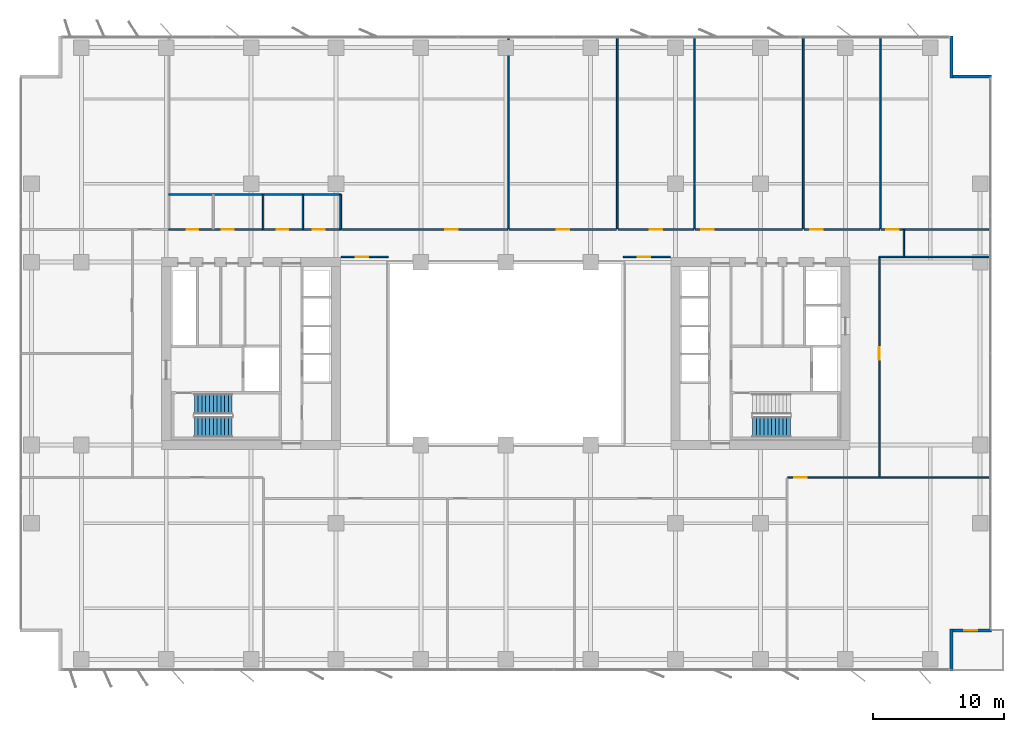
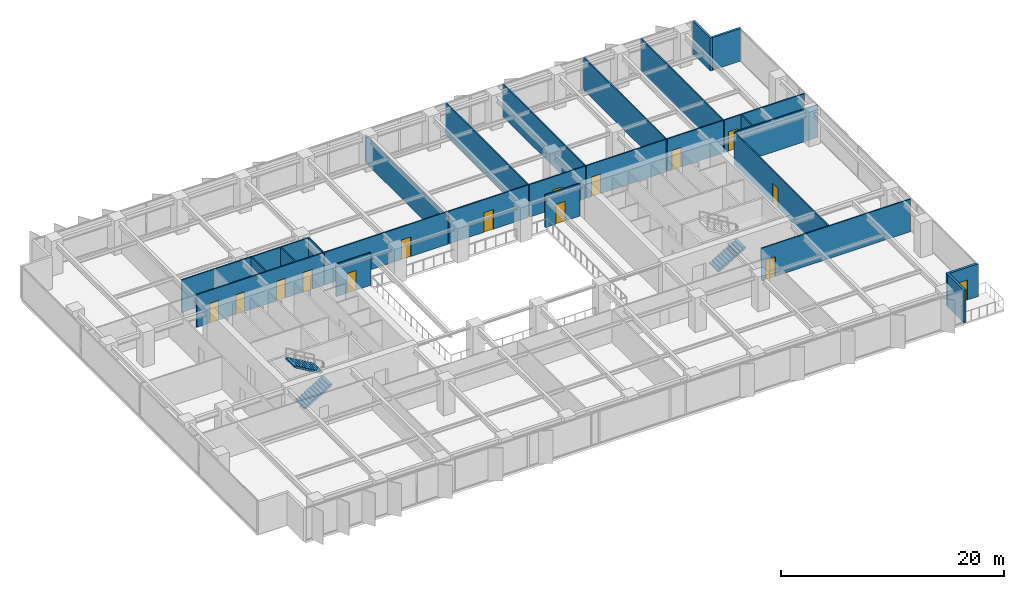
# One storey, part 15 of 20: 26 walls, 15 doors, 3 stair flights, 15 openings, 2 elements without a shape of their own.
"""IFC4 building model written with IfcOpenShell, lengths in metres."""

from ifc_helpers import new_model, si_unit, direction, frame, frame_2d, origin, place, context, subcontext, project, spatial, polyline, rectangle, outline, extrude, material, layer, layer_set, type_object, element, fill, aggregate, save


model = new_model("IFC4")

# Units and contexts
model_context = context("Model", 3, precision=1e-05, world=origin(), true_north=direction((0.0, 1.0)))
body_context = subcontext(model_context, "Body", "Model", "MODEL_VIEW")
ifc_project = project(units=[si_unit("LENGTHUNIT", "METRE"), si_unit("AREAUNIT", "SQUARE_METRE"), si_unit("VOLUMEUNIT", "CUBIC_METRE"), si_unit("PLANEANGLEUNIT", "RADIAN"), si_unit("MASSUNIT", "GRAM", prefix="KILO")], contexts=[model_context])

# Site, building, storey
site_placement = place(None, origin())
site = spatial("IfcSite", under=ifc_project, at=site_placement, CompositionType="ELEMENT")
building_placement = place(site_placement, origin())
building = spatial("IfcBuilding", under=site, at=building_placement, Name="Putna Gate Headquarters", CompositionType="ELEMENT")
storey_placement = place(building_placement, frame((0.0, 0.0, 108.800048828125)))
storey = spatial("IfcBuildingStorey", under=building, at=storey_placement, Name="L26", CompositionType="ELEMENT", Elevation=108.800048828125)

# Walls
ifc_material_1 = material(Name="Precast concrete C40/50", Category="concrete")
ifc_layer_1 = layer(ifc_material_1, 0.239990234375)
ifc_layer_set_1 = layer_set([ifc_layer_1], Name="Precast concrete C40/50")
wall_type_1 = type_object("IfcWallType", Name="WALL-EXT-TERR-240", PredefinedType="STANDARD", material=ifc_layer_set_1)
for number, where, z_axis, x_axis, name in (
    (1, (73.1201171875, 50.300048828125, 0.0), (0.0, 0.0, 1.0), (0.0, -1.0, 0.0), "L26 Corner Notch Return Wall NE-V"),
    (2, (73.0, 47.219970703125, 0.0), (0.0, 0.0, 1.0), (1.0, 0.0, 0.0), "L26 Corner Notch Return Wall NE-H"),
    (3, (73.1201171875, 4.89990234375, 0.0), (0.0, 0.0, 1.0), (0.0, -1.0, 0.0), "L26 Corner Notch Return Wall SE-V"),
):
    element("IfcWall", number, at=place(storey_placement, frame(where, z_axis=z_axis, x_axis=x_axis)), inside=storey, type_object=wall_type_1, Name=name, PredefinedType="STANDARD", context=body_context, shape_type="SweptSolid", body=[
        extrude(rectangle(XDim=3.199951171875, YDim=0.239990234375, at=frame_2d((1.60009765625, 0.0))), origin(), (0.0, 0.0, 1.0), 3.56494140625),
    ])

# Wall, opening, door
wall_1_placement = place(storey_placement, frame((76.199951171875, 4.780029296875, 0.0), z_axis=(0.0, 0.0, 1.0), x_axis=(-1.0, 0.0, 0.0)))
wall_1 = element("IfcWall", 4, at=wall_1_placement, inside=storey, type_object=wall_type_1, Name="L26 Corner Notch Return Wall SE-H", PredefinedType="STANDARD", context=body_context, shape_type="SweptSolid", body=[
    extrude(rectangle(XDim=3.199951171875, YDim=0.239990234375, at=frame_2d((1.60009765625, 0.0))), origin(), (0.0, 0.0, 1.0), 3.56494140625),
])
opening_1_placement = place(wall_1_placement, frame((1.10009765625, 0.0, 0.0)))
opening_1 = element("IfcOpeningElement", 5, at=opening_1_placement, cuts=wall_1, Name="Opening TRD-1", PredefinedType="OPENING", context=body_context, shape_type="SweptSolid", body=[
    extrude(rectangle(XDim=1.0, YDim=2.199951171875, at=frame_2d((0.5, 1.10009765625))), frame((0.0, 0.1298828125, 0.0), z_axis=(0.0, -1.0, 0.0), x_axis=(1.0, 0.0, 0.0)), (0.0, 0.0, 1.0), 0.260009765625),
])
ifc_material_2 = material(Name="Thermally broken bronze glazed terrace door")
door_type_1 = type_object("IfcDoorType", Name="DOOR-TERR-EXT-1000", OperationType="NOTDEFINED", PredefinedType="DOOR", material=ifc_material_2)
door_1_placement = place(opening_1_placement, origin())
door_1 = element("IfcDoor", 6, at=door_1_placement, inside=storey, type_object=door_type_1, Name="L26 Spiral Sky Terrace Door SE", OperationType="SINGLE_SWING_RIGHT", OverallHeight=2.199951171875, OverallWidth=1.0, PredefinedType="DOOR", context=body_context, shape_type="SweptSolid", body=[
    extrude(rectangle(XDim=1.0, YDim=2.199951171875, at=frame_2d((0.5, 1.10009765625))), frame((0.0, 0.02490234375, 0.0), z_axis=(0.0, -1.0, 0.0), x_axis=(1.0, 0.0, 0.0)), (0.0, 0.0, 1.0), 0.050048828125),
])
fill(opening_1, door_1)

ifc_material_3 = material(Name="Acoustic gypsum board on metal stud")
ifc_layer_2 = layer(ifc_material_3, 0.1201171875)
ifc_layer_set_2 = layer_set([ifc_layer_2], Name="Acoustic gypsum board on metal stud")
wall_type_2 = type_object("IfcWallType", Name="WALL-PART-120", PredefinedType="PARTITIONING", material=ifc_layer_set_2)
wall_2_placement = place(storey_placement, frame((26.39990234375, 33.39990234375, 0.0), z_axis=(0.0, 0.0, 1.0), x_axis=(1.0, 0.0, 0.0)))
wall_2 = element("IfcWall", 7, at=wall_2_placement, inside=storey, type_object=wall_type_2, Name="L26 Interior Wall PART-L26-ATR-W-N", PredefinedType="PARTITIONING", context=body_context, shape_type="SweptSolid", body=[
    extrude(rectangle(XDim=3.60009765625, YDim=0.1201171875, at=frame_2d((1.800048828125, 0.0))), origin(), (0.0, 0.0, 1.0), 3.56494140625),
])
opening_2_placement = place(wall_2_placement, frame((1.10009765625, 0.0, 0.0)))
opening_2 = element("IfcOpeningElement", 8, at=opening_2_placement, cuts=wall_2, Name="Opening ID-95", PredefinedType="OPENING", context=body_context, shape_type="SweptSolid", body=[
    extrude(rectangle(XDim=0.949951171875, YDim=2.14990234375, at=frame_2d((0.47509765625, 1.074951171875))), frame((0.0, 0.070068359375, 0.0), z_axis=(0.0, -1.0, 0.0), x_axis=(1.0, 0.0, 0.0)), (0.0, 0.0, 1.0), 0.14013671875),
])
ifc_material_4 = material(Name="Veneered acoustic timber door", Category="wood")
door_type_2 = type_object("IfcDoorType", Name="DOOR-OFF-950", OperationType="NOTDEFINED", PredefinedType="DOOR", material=ifc_material_4)
door_2_placement = place(opening_2_placement, origin())
door_2 = element("IfcDoor", 9, at=door_2_placement, inside=storey, type_object=door_type_2, Name="L26 West Atrium Lounge Door", OperationType="SINGLE_SWING_LEFT", OverallHeight=2.14990234375, OverallWidth=0.949951171875, PredefinedType="DOOR", context=body_context, shape_type="SweptSolid", body=[
    extrude(rectangle(XDim=0.949951171875, YDim=2.14990234375, at=frame_2d((0.47509765625, 1.074951171875))), frame((0.0, 0.02490234375, 0.0), z_axis=(0.0, -1.0, 0.0), x_axis=(1.0, 0.0, 0.0)), (0.0, 0.0, 1.0), 0.050048828125),
])
fill(opening_2, door_2)

wall_3_placement = place(storey_placement, frame((48.0, 33.39990234375, 0.0), z_axis=(0.0, 0.0, 1.0), x_axis=(1.0, 0.0, 0.0)))
wall_3 = element("IfcWall", 10, at=wall_3_placement, inside=storey, type_object=wall_type_2, Name="L26 Interior Wall PART-L26-ATR-E-N", PredefinedType="PARTITIONING", context=body_context, shape_type="SweptSolid", body=[
    extrude(rectangle(XDim=3.60009765625, YDim=0.1201171875, at=frame_2d((1.800048828125, 0.0))), origin(), (0.0, 0.0, 1.0), 3.56494140625),
])
opening_3_placement = place(wall_3_placement, frame((1.10009765625, 0.0, 0.0)))
opening_3 = element("IfcOpeningElement", 11, at=opening_3_placement, cuts=wall_3, Name="Opening ID-95", PredefinedType="OPENING", context=body_context, shape_type="SweptSolid", body=[
    extrude(rectangle(XDim=0.949951171875, YDim=2.14990234375, at=frame_2d((0.47509765625, 1.074951171875))), frame((0.0, 0.070068359375, 0.0), z_axis=(0.0, -1.0, 0.0), x_axis=(1.0, 0.0, 0.0)), (0.0, 0.0, 1.0), 0.14013671875),
])
door_3_placement = place(opening_3_placement, origin())
door_3 = element("IfcDoor", 12, at=door_3_placement, inside=storey, type_object=door_type_2, Name="L26 East Atrium Lounge Door", OperationType="SINGLE_SWING_RIGHT", OverallHeight=2.14990234375, OverallWidth=0.949951171875, PredefinedType="DOOR", context=body_context, shape_type="SweptSolid", body=[
    extrude(rectangle(XDim=0.949951171875, YDim=2.14990234375, at=frame_2d((0.47509765625, 1.074951171875))), frame((0.0, 0.02490234375, 0.0), z_axis=(0.0, -1.0, 0.0), x_axis=(1.0, 0.0, 0.0)), (0.0, 0.0, 1.0), 0.050048828125),
])
fill(opening_3, door_3)

# Walls
wall_4_placement = place(storey_placement, frame((39.199951171875, 35.56005859375, 0.0), z_axis=(0.0, 0.0, 1.0), x_axis=(0.0, 1.0, 0.0)))
element("IfcWall", 13, at=wall_4_placement, inside=storey, type_object=wall_type_2, Name="L26 Interior Wall PART-L26-NB-DIV-02", PredefinedType="PARTITIONING", context=body_context, shape_type="SweptSolid", body=[
    extrude(rectangle(XDim=14.719970703125, YDim=0.1201171875, at=frame_2d((7.35986328125, 0.0))), origin(), (0.0, 0.0, 1.0), 2.96484375),
])
for number, where, z_axis, x_axis, name in (
    (14, (47.53662109375, 35.56005859375, 0.0), (0.0, 0.0, 1.0), (0.0, 1.0, 0.0), "L26 Interior Wall PART-L26-NB-DIV-03"),
    (15, (53.441650390625, 35.56005859375, 0.0), (0.0, 0.0, 1.0), (0.0, 1.0, 0.0), "L26 Interior Wall PART-L26-NB-DIV-04"),
    (16, (61.7783203125, 35.56005859375, 0.0), (0.0, 0.0, 1.0), (0.0, 1.0, 0.0), "L26 Interior Wall PART-L26-NB-DIV-05"),
    (17, (67.683349609375, 35.56005859375, 0.0), (0.0, 0.0, 1.0), (0.0, 1.0, 0.0), "L26 Interior Wall PART-L26-NB-DIV-06"),
):
    element("IfcWall", number, at=place(storey_placement, frame(where, z_axis=z_axis, x_axis=x_axis)), inside=storey, type_object=wall_type_2, Name=name, PredefinedType="PARTITIONING", context=body_context, shape_type="SweptSolid", body=[
        extrude(rectangle(XDim=14.719970703125, YDim=0.1201171875, at=frame_2d((7.35986328125, 0.0))), origin(), (0.0, 0.0, 1.0), 3.56494140625),
    ])
ifc_material_5 = material(Name="Fire-rated gypsum board on metal stud")
ifc_layer_3 = layer(ifc_material_5, 0.1201171875)
ifc_layer_set_3 = layer_set([ifc_layer_3], Name="Fire-rated gypsum board on metal stud")
wall_type_3 = type_object("IfcWallType", Name="WALL-PART-120-RATED", PredefinedType="PARTITIONING", material=ifc_layer_set_3)
wall_5_placement = place(storey_placement, frame((69.4833984375, 33.39990234375, 0.0), z_axis=(0.0, 0.0, 1.0), x_axis=(0.0, 1.0, 0.0)))
element("IfcWall", 18, at=wall_5_placement, inside=storey, type_object=wall_type_3, Name="L26 Interior Wall PART-L26-CORRN-CAPE", PredefinedType="PARTITIONING", context=body_context, shape_type="SweptSolid", body=[
    extrude(rectangle(XDim=2.10009765625, YDim=0.1201171875, at=frame_2d((1.050048828125, 0.0))), origin(), (0.0, 0.0, 1.0), 3.56494140625),
])

# Wall, openings, doors
wall_6_placement = place(storey_placement, frame((13.199951171875, 35.5, 0.0), z_axis=(0.0, 0.0, 1.0), x_axis=(1.0, 0.0, 0.0)))
wall_6 = element("IfcWall", 19, at=wall_6_placement, inside=storey, type_object=wall_type_3, Name="L26 Interior Wall PART-L26-SAN-CW", PredefinedType="PARTITIONING", context=body_context, shape_type="SweptSolid", body=[
    extrude(rectangle(XDim=13.16015625, YDim=0.1201171875, at=frame_2d((6.580078125, 0.0))), origin(), (0.0, 0.0, 1.0), 3.56494140625),
])
opening_4_placement = place(wall_6_placement, frame((1.35009765625, 0.0, 0.0)))
opening_4 = element("IfcOpeningElement", 20, at=opening_4_placement, cuts=wall_6, Name="Opening FD-90", PredefinedType="OPENING", context=body_context, shape_type="SweptSolid", body=[
    extrude(rectangle(XDim=0.89990234375, YDim=2.14990234375, at=frame_2d((0.449951171875, 1.074951171875))), frame((0.0, 0.070068359375, 0.0), z_axis=(0.0, -1.0, 0.0), x_axis=(1.0, 0.0, 0.0)), (0.0, 0.0, 1.0), 0.14013671875),
])
opening_5_placement = place(wall_6_placement, frame((4.050048828125, 0.0, 0.0)))
opening_5 = element("IfcOpeningElement", 21, at=opening_5_placement, cuts=wall_6, Name="Opening FD-90", PredefinedType="OPENING", context=body_context, shape_type="SweptSolid", body=[
    extrude(rectangle(XDim=0.89990234375, YDim=2.14990234375, at=frame_2d((0.449951171875, 1.074951171875))), frame((0.0, 0.070068359375, 0.0), z_axis=(0.0, -1.0, 0.0), x_axis=(1.0, 0.0, 0.0)), (0.0, 0.0, 1.0), 0.14013671875),
])
opening_6_placement = place(wall_6_placement, frame((8.25, 0.0, 0.0)))
opening_6 = element("IfcOpeningElement", 22, at=opening_6_placement, cuts=wall_6, Name="Opening FD-90", PredefinedType="OPENING", context=body_context, shape_type="SweptSolid", body=[
    extrude(rectangle(XDim=0.89990234375, YDim=2.14990234375, at=frame_2d((0.449951171875, 1.074951171875))), frame((0.0, 0.070068359375, 0.0), z_axis=(0.0, -1.0, 0.0), x_axis=(1.0, 0.0, 0.0)), (0.0, 0.0, 1.0), 0.14013671875),
])
opening_7_placement = place(wall_6_placement, frame((11.0, 0.0, 0.0)))
opening_7 = element("IfcOpeningElement", 23, at=opening_7_placement, cuts=wall_6, Name="Opening FD-95", PredefinedType="OPENING", context=body_context, shape_type="SweptSolid", body=[
    extrude(rectangle(XDim=0.949951171875, YDim=2.14990234375, at=frame_2d((0.47509765625, 1.074951171875))), frame((0.0, 0.070068359375, 0.0), z_axis=(0.0, -1.0, 0.0), x_axis=(1.0, 0.0, 0.0)), (0.0, 0.0, 1.0), 0.14013671875),
])
ifc_material_6 = material(Name="Acoustic washroom fire door")
door_type_3 = type_object("IfcDoorType", Name="DOOR-FIRE-900", OperationType="NOTDEFINED", PredefinedType="DOOR", material=ifc_material_6)
door_4_placement = place(opening_4_placement, origin())
door_4 = element("IfcDoor", 24, at=door_4_placement, inside=storey, type_object=door_type_3, Name="L26 Washroom Male Door", OperationType="SINGLE_SWING_LEFT", OverallHeight=2.14990234375, OverallWidth=0.89990234375, PredefinedType="DOOR", context=body_context, shape_type="SweptSolid", body=[
    extrude(rectangle(XDim=0.89990234375, YDim=2.14990234375, at=frame_2d((0.449951171875, 1.074951171875))), frame((0.0, 0.02490234375, 0.0), z_axis=(0.0, -1.0, 0.0), x_axis=(1.0, 0.0, 0.0)), (0.0, 0.0, 1.0), 0.050048828125),
])
fill(opening_4, door_4)
door_5_placement = place(opening_5_placement, origin())
door_5 = element("IfcDoor", 25, at=door_5_placement, inside=storey, type_object=door_type_3, Name="L26 Washroom Female Door", OperationType="SINGLE_SWING_RIGHT", OverallHeight=2.14990234375, OverallWidth=0.89990234375, PredefinedType="DOOR", context=body_context, shape_type="SweptSolid", body=[
    extrude(rectangle(XDim=0.89990234375, YDim=2.14990234375, at=frame_2d((0.449951171875, 1.074951171875))), frame((0.0, 0.02490234375, 0.0), z_axis=(0.0, -1.0, 0.0), x_axis=(1.0, 0.0, 0.0)), (0.0, 0.0, 1.0), 0.050048828125),
])
fill(opening_5, door_5)
door_6_placement = place(opening_6_placement, origin())
door_6 = element("IfcDoor", 26, at=door_6_placement, inside=storey, type_object=door_type_3, Name="L26 Accessible WC Door", OperationType="SINGLE_SWING_LEFT", OverallHeight=2.14990234375, OverallWidth=0.89990234375, PredefinedType="DOOR", context=body_context, shape_type="SweptSolid", body=[
    extrude(rectangle(XDim=0.89990234375, YDim=2.14990234375, at=frame_2d((0.449951171875, 1.074951171875))), frame((0.0, 0.02490234375, 0.0), z_axis=(0.0, -1.0, 0.0), x_axis=(1.0, 0.0, 0.0)), (0.0, 0.0, 1.0), 0.050048828125),
])
fill(opening_6, door_6)
ifc_material_7 = material(Name="Acoustic timber fire door", Category="wood")
door_type_4 = type_object("IfcDoorType", Name="DOOR-FIRE-950", OperationType="NOTDEFINED", PredefinedType="DOOR", material=ifc_material_7)
door_7_placement = place(opening_7_placement, origin())
door_7 = element("IfcDoor", 27, at=door_7_placement, inside=storey, type_object=door_type_4, Name="L26 Staff Pantry and Tea Point Door", OperationType="SINGLE_SWING_RIGHT", OverallHeight=2.14990234375, OverallWidth=0.949951171875, PredefinedType="DOOR", context=body_context, shape_type="SweptSolid", body=[
    extrude(rectangle(XDim=0.949951171875, YDim=2.14990234375, at=frame_2d((0.47509765625, 1.074951171875))), frame((0.0, 0.02490234375, 0.0), z_axis=(0.0, -1.0, 0.0), x_axis=(1.0, 0.0, 0.0)), (0.0, 0.0, 1.0), 0.050048828125),
])
fill(opening_7, door_7)

# Walls
wall_7_placement = place(storey_placement, frame((13.199951171875, 38.179931640625, 0.0), z_axis=(0.0, 0.0, 1.0), x_axis=(1.0, 0.0, 0.0)))
element("IfcWall", 28, at=wall_7_placement, inside=storey, type_object=wall_type_3, Name="L26 Interior Wall PART-L26-SAN-BACK", PredefinedType="PARTITIONING", context=body_context, shape_type="SweptSolid", body=[
    extrude(rectangle(XDim=13.16015625, YDim=0.1201171875, at=frame_2d((6.580078125, 0.0))), origin(), (0.0, 0.0, 1.0), 3.56494140625),
])
for number, where, z_axis, x_axis, name in (
    (29, (20.419921875, 35.5, 0.0), (0.0, 0.0, 1.0), (0.0, 1.0, 0.0), "L26 Interior Wall PART-L26-SAN-DIV-2"),
    (30, (23.4599609375, 35.5, 0.0), (0.0, 0.0, 1.0), (0.0, 1.0, 0.0), "L26 Interior Wall PART-L26-SAN-DIV-3"),
    (31, (26.360107421875, 35.5, 0.0), (0.0, 0.0, 1.0), (0.0, 1.0, 0.0), "L26 Interior Wall PART-L26-SAN-DIV-4"),
):
    element("IfcWall", number, at=place(storey_placement, frame(where, z_axis=z_axis, x_axis=x_axis)), inside=storey, type_object=wall_type_3, Name=name, PredefinedType="PARTITIONING", context=body_context, shape_type="SweptSolid", body=[
        extrude(rectangle(XDim=2.679931640625, YDim=0.1201171875, at=frame_2d((1.33984375, 0.0))), origin(), (0.0, 0.0, 1.0), 3.56494140625),
    ])

# Wall, opening, door
wall_8_placement = place(storey_placement, frame((26.419921875, 35.5, 0.0), z_axis=(0.0, 0.0, 1.0), x_axis=(1.0, 0.0, 0.0)))
wall_8 = element("IfcWall", 32, at=wall_8_placement, inside=storey, type_object=wall_type_3, Name="L26 Interior Wall PART-L26-NB-CW-02", PredefinedType="PARTITIONING", context=body_context, shape_type="SweptSolid", body=[
    extrude(rectangle(XDim=12.719970703125, YDim=0.1201171875, at=frame_2d((6.35986328125, 0.0))), origin(), (0.0, 0.0, 1.0), 3.56494140625),
])
opening_8_placement = place(wall_8_placement, frame((7.9541015625, 0.0, 0.0)))
opening_8 = element("IfcOpeningElement", 33, at=opening_8_placement, cuts=wall_8, Name="Opening FD-95", PredefinedType="OPENING", context=body_context, shape_type="SweptSolid", body=[
    extrude(rectangle(XDim=0.949951171875, YDim=2.14990234375, at=frame_2d((0.47509765625, 1.074951171875))), frame((0.0, 0.070068359375, 0.0), z_axis=(0.0, -1.0, 0.0), x_axis=(1.0, 0.0, 0.0)), (0.0, 0.0, 1.0), 0.14013671875),
])
door_8_placement = place(opening_8_placement, origin())
door_8 = element("IfcDoor", 34, at=door_8_placement, inside=storey, type_object=door_type_4, Name="L26 Primary Open Office Workplace Door", OperationType="SINGLE_SWING_RIGHT", OverallHeight=2.14990234375, OverallWidth=0.949951171875, PredefinedType="DOOR", context=body_context, shape_type="SweptSolid", body=[
    extrude(rectangle(XDim=0.949951171875, YDim=2.14990234375, at=frame_2d((0.47509765625, 1.074951171875))), frame((0.0, 0.02490234375, 0.0), z_axis=(0.0, -1.0, 0.0), x_axis=(1.0, 0.0, 0.0)), (0.0, 0.0, 1.0), 0.050048828125),
])
fill(opening_8, door_8)

wall_9_placement = place(storey_placement, frame((39.260009765625, 35.5, 0.0), z_axis=(0.0, 0.0, 1.0), x_axis=(1.0, 0.0, 0.0)))
wall_9 = element("IfcWall", 35, at=wall_9_placement, inside=storey, type_object=wall_type_3, Name="L26 Interior Wall PART-L26-NB-CW-03", PredefinedType="PARTITIONING", context=body_context, shape_type="SweptSolid", body=[
    extrude(rectangle(XDim=8.216552734375, YDim=0.1201171875, at=frame_2d((4.1083984375, 0.0))), origin(), (0.0, 0.0, 1.0), 3.56494140625),
])
opening_9_placement = place(wall_9_placement, frame((3.63330078125, 0.0, 0.0)))
opening_9 = element("IfcOpeningElement", 36, at=opening_9_placement, cuts=wall_9, Name="Opening FD-95", PredefinedType="OPENING", context=body_context, shape_type="SweptSolid", body=[
    extrude(rectangle(XDim=0.949951171875, YDim=2.14990234375, at=frame_2d((0.47509765625, 1.074951171875))), frame((0.0, 0.070068359375, 0.0), z_axis=(0.0, -1.0, 0.0), x_axis=(1.0, 0.0, 0.0)), (0.0, 0.0, 1.0), 0.14013671875),
])
door_9_placement = place(opening_9_placement, origin())
door_9 = element("IfcDoor", 37, at=door_9_placement, inside=storey, type_object=door_type_4, Name="L26 Cellular Office 4 Door", OperationType="SINGLE_SWING_LEFT", OverallHeight=2.14990234375, OverallWidth=0.949951171875, PredefinedType="DOOR", context=body_context, shape_type="SweptSolid", body=[
    extrude(rectangle(XDim=0.949951171875, YDim=2.14990234375, at=frame_2d((0.47509765625, 1.074951171875))), frame((0.0, 0.02490234375, 0.0), z_axis=(0.0, -1.0, 0.0), x_axis=(1.0, 0.0, 0.0)), (0.0, 0.0, 1.0), 0.050048828125),
])
fill(opening_9, door_9)

wall_10_placement = place(storey_placement, frame((47.5966796875, 35.5, 0.0), z_axis=(0.0, 0.0, 1.0), x_axis=(1.0, 0.0, 0.0)))
wall_10 = element("IfcWall", 38, at=wall_10_placement, inside=storey, type_object=wall_type_3, Name="L26 Interior Wall PART-L26-NB-CW-04", PredefinedType="PARTITIONING", context=body_context, shape_type="SweptSolid", body=[
    extrude(rectangle(XDim=5.784912109375, YDim=0.1201171875, at=frame_2d((2.892578125, 0.0))), origin(), (0.0, 0.0, 1.0), 3.56494140625),
])
opening_10_placement = place(wall_10_placement, frame((2.41748046875, 0.0, 0.0)))
opening_10 = element("IfcOpeningElement", 39, at=opening_10_placement, cuts=wall_10, Name="Opening FD-95", PredefinedType="OPENING", context=body_context, shape_type="SweptSolid", body=[
    extrude(rectangle(XDim=0.949951171875, YDim=2.14990234375, at=frame_2d((0.47509765625, 1.074951171875))), frame((0.0, 0.070068359375, 0.0), z_axis=(0.0, -1.0, 0.0), x_axis=(1.0, 0.0, 0.0)), (0.0, 0.0, 1.0), 0.14013671875),
])
door_10_placement = place(opening_10_placement, origin())
door_10 = element("IfcDoor", 40, at=door_10_placement, inside=storey, type_object=door_type_4, Name="L26 Conference Meeting Room 1 Door", OperationType="SINGLE_SWING_RIGHT", OverallHeight=2.14990234375, OverallWidth=0.949951171875, PredefinedType="DOOR", context=body_context, shape_type="SweptSolid", body=[
    extrude(rectangle(XDim=0.949951171875, YDim=2.14990234375, at=frame_2d((0.47509765625, 1.074951171875))), frame((0.0, 0.02490234375, 0.0), z_axis=(0.0, -1.0, 0.0), x_axis=(1.0, 0.0, 0.0)), (0.0, 0.0, 1.0), 0.050048828125),
])
fill(opening_10, door_10)

wall_11_placement = place(storey_placement, frame((53.501708984375, 35.5, 0.0), z_axis=(0.0, 0.0, 1.0), x_axis=(1.0, 0.0, 0.0)))
wall_11 = element("IfcWall", 41, at=wall_11_placement, inside=storey, type_object=wall_type_3, Name="L26 Interior Wall PART-L26-NB-CW-05", PredefinedType="PARTITIONING", context=body_context, shape_type="SweptSolid", body=[
    extrude(rectangle(XDim=8.216552734375, YDim=0.1201171875, at=frame_2d((4.1083984375, 0.0))), origin(), (0.0, 0.0, 1.0), 3.56494140625),
])
opening_11_placement = place(wall_11_placement, frame((0.47998046875, 0.0, 0.0)))
opening_11 = element("IfcOpeningElement", 42, at=opening_11_placement, cuts=wall_11, Name="Opening FD-95", PredefinedType="OPENING", context=body_context, shape_type="SweptSolid", body=[
    extrude(rectangle(XDim=0.949951171875, YDim=2.14990234375, at=frame_2d((0.47509765625, 1.074951171875))), frame((0.0, 0.070068359375, 0.0), z_axis=(0.0, -1.0, 0.0), x_axis=(1.0, 0.0, 0.0)), (0.0, 0.0, 1.0), 0.14013671875),
])
door_11_placement = place(opening_11_placement, origin())
door_11 = element("IfcDoor", 43, at=door_11_placement, inside=storey, type_object=door_type_4, Name="L26 Conference Meeting Room 2 Door", OperationType="SINGLE_SWING_LEFT", OverallHeight=2.14990234375, OverallWidth=0.949951171875, PredefinedType="DOOR", context=body_context, shape_type="SweptSolid", body=[
    extrude(rectangle(XDim=0.949951171875, YDim=2.14990234375, at=frame_2d((0.47509765625, 1.074951171875))), frame((0.0, 0.02490234375, 0.0), z_axis=(0.0, -1.0, 0.0), x_axis=(1.0, 0.0, 0.0)), (0.0, 0.0, 1.0), 0.050048828125),
])
fill(opening_11, door_11)

wall_12_placement = place(storey_placement, frame((61.83837890625, 35.5, 0.0), z_axis=(0.0, 0.0, 1.0), x_axis=(1.0, 0.0, 0.0)))
wall_12 = element("IfcWall", 44, at=wall_12_placement, inside=storey, type_object=wall_type_3, Name="L26 Interior Wall PART-L26-NB-CW-06", PredefinedType="PARTITIONING", context=body_context, shape_type="SweptSolid", body=[
    extrude(rectangle(XDim=5.784912109375, YDim=0.1201171875, at=frame_2d((2.892578125, 0.0))), origin(), (0.0, 0.0, 1.0), 3.56494140625),
])
opening_12_placement = place(wall_12_placement, frame((0.47998046875, 0.0, 0.0)))
opening_12 = element("IfcOpeningElement", 45, at=opening_12_placement, cuts=wall_12, Name="Opening FD-95", PredefinedType="OPENING", context=body_context, shape_type="SweptSolid", body=[
    extrude(rectangle(XDim=0.949951171875, YDim=2.14990234375, at=frame_2d((0.47509765625, 1.074951171875))), frame((0.0, 0.070068359375, 0.0), z_axis=(0.0, -1.0, 0.0), x_axis=(1.0, 0.0, 0.0)), (0.0, 0.0, 1.0), 0.14013671875),
])
door_12_placement = place(opening_12_placement, origin())
door_12 = element("IfcDoor", 46, at=door_12_placement, inside=storey, type_object=door_type_4, Name="L26 Conference Meeting Room 3 Door", OperationType="SINGLE_SWING_RIGHT", OverallHeight=2.14990234375, OverallWidth=0.949951171875, PredefinedType="DOOR", context=body_context, shape_type="SweptSolid", body=[
    extrude(rectangle(XDim=0.949951171875, YDim=2.14990234375, at=frame_2d((0.47509765625, 1.074951171875))), frame((0.0, 0.02490234375, 0.0), z_axis=(0.0, -1.0, 0.0), x_axis=(1.0, 0.0, 0.0)), (0.0, 0.0, 1.0), 0.050048828125),
])
fill(opening_12, door_12)

wall_13_placement = place(storey_placement, frame((67.743408203125, 35.5, 0.0), z_axis=(0.0, 0.0, 1.0), x_axis=(1.0, 0.0, 0.0)))
wall_13 = element("IfcWall", 47, at=wall_13_placement, inside=storey, type_object=wall_type_3, Name="L26 Interior Wall PART-L26-NB-CW-07", PredefinedType="PARTITIONING", context=body_context, shape_type="SweptSolid", body=[
    extrude(rectangle(XDim=8.276611328125, YDim=0.1201171875, at=frame_2d((4.13818359375, 0.0))), origin(), (0.0, 0.0, 1.0), 3.56494140625),
])
opening_13_placement = place(wall_13_placement, frame((0.39501953125, 0.0, 0.0)))
opening_13 = element("IfcOpeningElement", 48, at=opening_13_placement, cuts=wall_13, Name="Opening FD-95", PredefinedType="OPENING", context=body_context, shape_type="SweptSolid", body=[
    extrude(rectangle(XDim=0.949951171875, YDim=2.14990234375, at=frame_2d((0.47509765625, 1.074951171875))), frame((0.0, 0.070068359375, 0.0), z_axis=(0.0, -1.0, 0.0), x_axis=(1.0, 0.0, 0.0)), (0.0, 0.0, 1.0), 0.14013671875),
])
door_13_placement = place(opening_13_placement, origin())
door_13 = element("IfcDoor", 49, at=door_13_placement, inside=storey, type_object=door_type_4, Name="L26 Cellular Office 1 Door", OperationType="SINGLE_SWING_LEFT", OverallHeight=2.14990234375, OverallWidth=0.949951171875, PredefinedType="DOOR", context=body_context, shape_type="SweptSolid", body=[
    extrude(rectangle(XDim=0.949951171875, YDim=2.14990234375, at=frame_2d((0.47509765625, 1.074951171875))), frame((0.0, 0.02490234375, 0.0), z_axis=(0.0, -1.0, 0.0), x_axis=(1.0, 0.0, 0.0)), (0.0, 0.0, 1.0), 0.050048828125),
])
fill(opening_13, door_13)

wall_14_placement = place(storey_placement, frame((60.605712890625, 16.5, 0.0), z_axis=(0.0, 0.0, 1.0), x_axis=(1.0, 0.0, 0.0)))
wall_14 = element("IfcWall", 50, at=wall_14_placement, inside=storey, type_object=wall_type_3, Name="L26 Interior Wall PART-L26-SB-CW-05", PredefinedType="PARTITIONING", context=body_context, shape_type="SweptSolid", body=[
    extrude(rectangle(XDim=15.414306640625, YDim=0.1201171875, at=frame_2d((7.70703125, 0.0))), origin(), (0.0, 0.0, 1.0), 3.56494140625),
])
opening_14_placement = place(wall_14_placement, frame((0.47998046875, 0.0, 0.0)))
opening_14 = element("IfcOpeningElement", 51, at=opening_14_placement, cuts=wall_14, Name="Opening FD-95", PredefinedType="OPENING", context=body_context, shape_type="SweptSolid", body=[
    extrude(rectangle(XDim=0.949951171875, YDim=2.14990234375, at=frame_2d((0.47509765625, 1.074951171875))), frame((0.0, 0.070068359375, 0.0), z_axis=(0.0, -1.0, 0.0), x_axis=(1.0, 0.0, 0.0)), (0.0, 0.0, 1.0), 0.14013671875),
])
door_14_placement = place(opening_14_placement, origin())
door_14 = element("IfcDoor", 52, at=door_14_placement, inside=storey, type_object=door_type_4, Name="L26 Cellular Office 3 Door", OperationType="SINGLE_SWING_RIGHT", OverallHeight=2.14990234375, OverallWidth=0.949951171875, PredefinedType="DOOR", context=body_context, shape_type="SweptSolid", body=[
    extrude(rectangle(XDim=0.949951171875, YDim=2.14990234375, at=frame_2d((0.47509765625, 1.074951171875))), frame((0.0, 0.02490234375, 0.0), z_axis=(0.0, -1.0, 0.0), x_axis=(1.0, 0.0, 0.0)), (0.0, 0.0, 1.0), 0.050048828125),
])
fill(opening_14, door_14)

# Wall
wall_15_placement = place(storey_placement, frame((67.60009765625, 33.39990234375, 0.0), z_axis=(0.0, 0.0, 1.0), x_axis=(1.0, 0.0, 0.0)))
element("IfcWall", 53, at=wall_15_placement, inside=storey, type_object=wall_type_3, Name="L26 Interior Wall PART-L26-EW-N-BOUND", PredefinedType="PARTITIONING", context=body_context, shape_type="SweptSolid", body=[
    extrude(rectangle(XDim=8.579833984375, YDim=0.1201171875, at=frame_2d((4.2900390625, 0.0))), origin(), (0.0, 0.0, 1.0), 3.56494140625),
])

# Wall, opening, door
wall_16_placement = place(storey_placement, frame((67.60009765625, 16.5, 0.0), z_axis=(0.0, 0.0, 1.0), x_axis=(0.0, 1.0, 0.0)))
wall_16 = element("IfcWall", 54, at=wall_16_placement, inside=storey, type_object=wall_type_3, Name="L26 Interior Wall PART-L26-EW-CW-1", PredefinedType="PARTITIONING", context=body_context, shape_type="SweptSolid", body=[
    extrude(rectangle(XDim=16.89990234375, YDim=0.1201171875, at=frame_2d((8.449951171875, 0.0))), origin(), (0.0, 0.0, 1.0), 3.56494140625),
])
opening_15_placement = place(wall_16_placement, frame((9.02490234375, 0.0, 0.0)))
opening_15 = element("IfcOpeningElement", 55, at=opening_15_placement, cuts=wall_16, Name="Opening FD-95", PredefinedType="OPENING", context=body_context, shape_type="SweptSolid", body=[
    extrude(rectangle(XDim=0.949951171875, YDim=2.14990234375, at=frame_2d((0.47509765625, 1.074951171875))), frame((0.0, 0.070068359375, 0.0), z_axis=(0.0, -1.0, 0.0), x_axis=(1.0, 0.0, 0.0)), (0.0, 0.0, 1.0), 0.14013671875),
])
door_15_placement = place(opening_15_placement, origin())
door_15 = element("IfcDoor", 56, at=door_15_placement, inside=storey, type_object=door_type_4, Name="L26 East Horizon Conference Room 1 Door", OperationType="SINGLE_SWING_LEFT", OverallHeight=2.14990234375, OverallWidth=0.949951171875, PredefinedType="DOOR", context=body_context, shape_type="SweptSolid", body=[
    extrude(rectangle(XDim=0.949951171875, YDim=2.14990234375, at=frame_2d((0.47509765625, 1.074951171875))), frame((0.0, 0.02490234375, 0.0), z_axis=(0.0, -1.0, 0.0), x_axis=(1.0, 0.0, 0.0)), (0.0, 0.0, 1.0), 0.050048828125),
])
fill(opening_15, door_15)

# Stair, stair flights
ifc_material_8 = material(Name="Concrete C40/50", Category="concrete")
stair_type_1 = type_object("IfcStairType", Name="STAIR-ST1", PredefinedType="HALF_TURN_STAIR", material=ifc_material_8)
stair_1_placement = place(storey_placement, origin())
stair_1 = element("IfcStair", 57, at=stair_1_placement, inside=storey, type_object=stair_type_1, Name="L26 West Core Exit Stair ST1", PredefinedType="HALF_TURN_STAIR")
stair_flight_type_1 = type_object("IfcStairFlightType", Name="FLIGHT-ST1", PredefinedType="STRAIGHT", material=ifc_material_8)
stair_flight_1_placement = place(storey_placement, frame((15.14990234375, 20.375, 0.0), z_axis=(0.0, 0.0, 1.0), x_axis=(1.0, 0.0, 0.0)))
stair_flight_1 = element("IfcStairFlight", 58, at=stair_flight_1_placement, type_object=stair_flight_type_1, Name="ST1 flight 1", NumberOfRisers=11, NumberOfTreads=10, PredefinedType="STRAIGHT", RiserHeight=0.172727273, TreadLength=0.29, context=body_context, shape_type="SweptSolid", body=[
    extrude(outline(polyline([(0.0, 0.0), (0.0, 0.172607421875), (0.2900390625, 0.172607421875), (0.2900390625, 0.345458984375), (0.580078125, 0.345458984375), (0.580078125, 0.51806640625), (0.8701171875, 0.51806640625), (0.8701171875, 0.69091796875), (1.159912109375, 0.69091796875), (1.159912109375, 0.863525390625), (1.449951171875, 0.863525390625), (1.449951171875, 1.036376953125), (1.739990234375, 1.036376953125), (1.739990234375, 1.208984375), (2.030029296875, 1.208984375), (2.030029296875, 1.3818359375), (2.320068359375, 1.3818359375), (2.320068359375, 1.554443359375), (2.610107421875, 1.554443359375), (2.610107421875, 1.727294921875), (2.89990234375, 1.727294921875), (2.89990234375, 1.89990234375), (2.89990234375, 1.552734375), (0.29296875, 0.0), (0.0, 0.0)])), frame((0.0, 0.77490234375, 0.0), z_axis=(0.0, -1.0, 0.0), x_axis=(1.0, 0.0, 0.0)), (0.0, 0.0, 1.0), 1.550048828125),
])
stair_flight_2_placement = place(storey_placement, frame((18.050048828125, 22.125, 1.89990234375), z_axis=(0.0, 0.0, 1.0), x_axis=(-1.0, 0.0, 0.0)))
stair_flight_2 = element("IfcStairFlight", 59, at=stair_flight_2_placement, type_object=stair_flight_type_1, Name="ST1 flight 2", NumberOfRisers=11, NumberOfTreads=10, PredefinedType="STRAIGHT", RiserHeight=0.172727273, TreadLength=0.29, context=body_context, shape_type="SweptSolid", body=[
    extrude(outline(polyline([(0.0, 0.0), (0.0, 0.172607421875), (0.2900390625, 0.172607421875), (0.2900390625, 0.345458984375), (0.580078125, 0.345458984375), (0.580078125, 0.51806640625), (0.8701171875, 0.51806640625), (0.8701171875, 0.69091796875), (1.159912109375, 0.69091796875), (1.159912109375, 0.863525390625), (1.449951171875, 0.863525390625), (1.449951171875, 1.036376953125), (1.739990234375, 1.036376953125), (1.739990234375, 1.208984375), (2.030029296875, 1.208984375), (2.030029296875, 1.3818359375), (2.320068359375, 1.3818359375), (2.320068359375, 1.554443359375), (2.610107421875, 1.554443359375), (2.610107421875, 1.727294921875), (2.89990234375, 1.727294921875), (2.89990234375, 1.89990234375), (2.89990234375, 1.552734375), (0.29296875, 0.0), (0.0, 0.0)])), frame((0.0, 0.77490234375, 0.0), z_axis=(0.0, -1.0, 0.0), x_axis=(1.0, 0.0, 0.0)), (0.0, 0.0, 1.0), 1.550048828125),
])
aggregate(stair_1, [stair_flight_1, stair_flight_2])

# Stair, stair flight
stair_type_2 = type_object("IfcStairType", Name="STAIR-ST2", PredefinedType="HALF_TURN_STAIR", material=ifc_material_8)
stair_2_placement = place(storey_placement, origin())
stair_2 = element("IfcStair", 60, at=stair_2_placement, inside=storey, type_object=stair_type_2, Name="L26 East Core Exit Stair ST2", PredefinedType="HALF_TURN_STAIR")
stair_flight_type_2 = type_object("IfcStairFlightType", Name="FLIGHT-ST2", PredefinedType="STRAIGHT", material=ifc_material_8)
stair_flight_3_placement = place(storey_placement, frame((57.89990234375, 20.375, 0.0), z_axis=(0.0, 0.0, 1.0), x_axis=(1.0, 0.0, 0.0)))
stair_flight_3 = element("IfcStairFlight", 61, at=stair_flight_3_placement, type_object=stair_flight_type_2, Name="ST2 flight 1", NumberOfRisers=11, NumberOfTreads=10, PredefinedType="STRAIGHT", RiserHeight=0.172727273, TreadLength=0.29, context=body_context, shape_type="SweptSolid", body=[
    extrude(outline(polyline([(0.0, 0.0), (0.0, 0.172607421875), (0.2900390625, 0.172607421875), (0.2900390625, 0.345458984375), (0.580078125, 0.345458984375), (0.580078125, 0.51806640625), (0.8701171875, 0.51806640625), (0.8701171875, 0.69091796875), (1.159912109375, 0.69091796875), (1.159912109375, 0.863525390625), (1.449951171875, 0.863525390625), (1.449951171875, 1.036376953125), (1.739990234375, 1.036376953125), (1.739990234375, 1.208984375), (2.030029296875, 1.208984375), (2.030029296875, 1.3818359375), (2.320068359375, 1.3818359375), (2.320068359375, 1.554443359375), (2.610107421875, 1.554443359375), (2.610107421875, 1.727294921875), (2.89990234375, 1.727294921875), (2.89990234375, 1.89990234375), (2.89990234375, 1.552734375), (0.29296875, 0.0), (0.0, 0.0)])), frame((0.0, 0.77490234375, 0.0), z_axis=(0.0, -1.0, 0.0), x_axis=(1.0, 0.0, 0.0)), (0.0, 0.0, 1.0), 1.550048828125),
])
aggregate(stair_2, [stair_flight_3])

save(model, "model.ifc")
